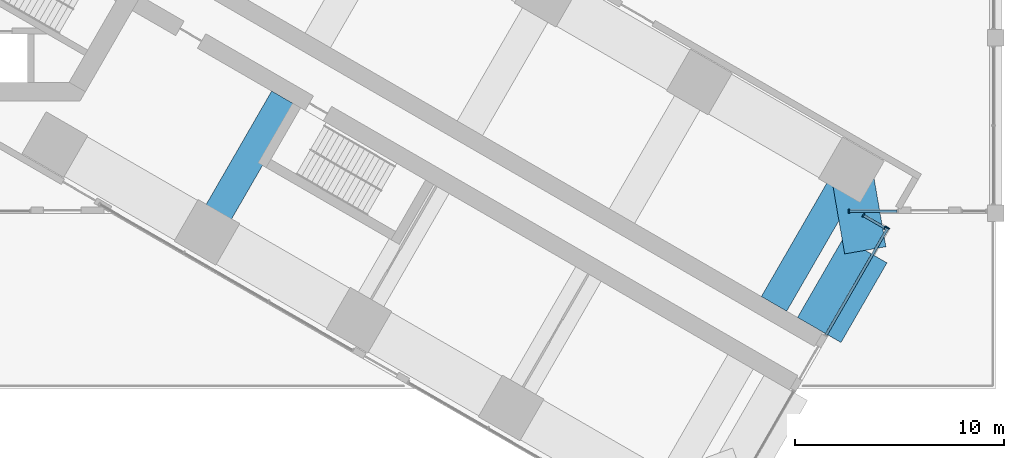
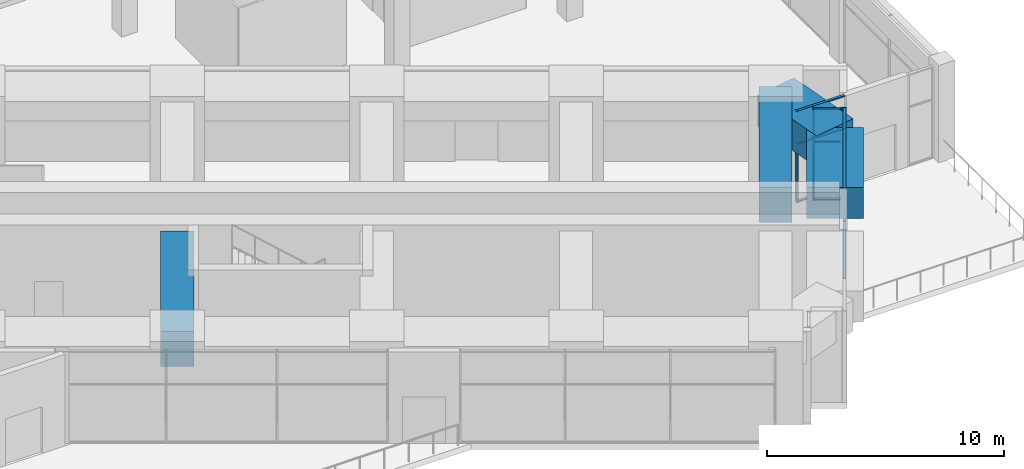
# One storey, part 12 of 34: 13 members, 4 beams, 3 elements without a shape of their own.
"""IFC4 building model written with IfcOpenShell, lengths in metres."""

import ifcopenshell
import ifcopenshell.guid

model = None  # the IFC model being written
_history = None  # IfcOwnerHistory: only IFC2X3 demands one
_inside = {}  # id of a spatial element -> (the spatial element, [elements in it])
_under = {}  # id of a project, library or spatial element -> (it, [spatial elements below it])
_declared = {}  # id of a project -> (the project, [libraries it declares])
_typed = {}  # id of a type object -> (the type object, [elements of that type])
_made_of = {}  # id of a material, layer set ... -> (it, [elements and type objects made of it])


def new_model(schema):
    """Start an empty IFC model of exactly this schema.

    Asked for "IFC4X3", IfcOpenShell would pick the latest addendum, in which some entities
    have other attributes; the version numbers below select the first issue.
    IFC2X3 requires an IfcOwnerHistory on every rooted entity: one is made here for all.
    """
    global model, _history
    if schema == "IFC4X3":
        model = ifcopenshell.file(schema_version=(4, 3, 0, 0))
    else:
        model = ifcopenshell.file(schema=schema)
    _inside.clear()
    _under.clear()
    _declared.clear()
    _typed.clear()
    _made_of.clear()
    _history = None
    if model.schema == "IFC2X3":
        org = make("IfcOrganization", Name="unknown")
        user = make(
            "IfcPersonAndOrganization",
            ThePerson=make("IfcPerson", FamilyName="unknown"),
            TheOrganization=org,
        )
        app = make(
            "IfcApplication",
            ApplicationDeveloper=org,
            Version="unknown",
            ApplicationFullName="unknown",
            ApplicationIdentifier="unknown",
        )
        _history = make(
            "IfcOwnerHistory",
            OwningUser=user,
            OwningApplication=app,
            ChangeAction="ADDED",
            CreationDate=0,
        )
    return model


def make(cls, **values):
    """One entity of the class cls with the attributes given. An attribute that is None is left unset."""
    return model.create_entity(
        cls, **{name: value for name, value in values.items() if value is not None}
    )


def rooted(cls, **values):
    """An entity with a GlobalId (a new one), such as an element, a storey or a relation."""
    return make(cls, GlobalId=ifcopenshell.guid.new(), OwnerHistory=_history, **values)


def si_unit(unit_type, name, prefix=None):
    """IfcSIUnit, for example si_unit("LENGTHUNIT", "METRE", prefix="MILLI")."""
    return make("IfcSIUnit", UnitType=unit_type, Prefix=prefix, Name=name)


def assignment(units):
    """IfcUnitAssignment: the units of a project."""
    return None if units is None else make("IfcUnitAssignment", Units=units)


def point(xyz):
    """IfcCartesianPoint."""
    return None if xyz is None else make("IfcCartesianPoint", Coordinates=xyz)


def direction(xyz):
    """IfcDirection."""
    return None if xyz is None else make("IfcDirection", DirectionRatios=xyz)


def frame(location, z_axis=None, x_axis=None):
    """IfcAxis2Placement3D, a coordinate frame: its origin and axes. An axis left out is left unset."""
    return make(
        "IfcAxis2Placement3D",
        Location=point(location),
        Axis=direction(z_axis),
        RefDirection=direction(x_axis),
    )


def frame_2d(location, x_axis=None):
    """IfcAxis2Placement2D, a coordinate frame in the plane: its origin and x axis."""
    return make(
        "IfcAxis2Placement2D", Location=point(location), RefDirection=direction(x_axis)
    )


def origin():
    """The frame at (0, 0, 0) with its axes left unset."""
    return frame((0.0, 0.0, 0.0))


def origin_2d():
    """The frame at (0, 0) in the plane with its x axis left unset."""
    return frame_2d((0.0, 0.0))


def place(relative_to, where):
    """IfcLocalPlacement: puts the frame where relative to a parent placement (None: the world)."""
    return make(
        "IfcLocalPlacement", PlacementRelTo=relative_to, RelativePlacement=where
    )


def context(
    kind, dimensions, precision=None, world=None, true_north=None, identifier=None
):
    """IfcGeometricRepresentationContext, for example the 3D "Model" context."""
    return make(
        "IfcGeometricRepresentationContext",
        ContextIdentifier=identifier,
        ContextType=kind,
        CoordinateSpaceDimension=dimensions,
        Precision=precision,
        WorldCoordinateSystem=world,
        TrueNorth=true_north,
    )


def subcontext(parent, identifier, kind, view, scale=None):
    """IfcGeometricRepresentationSubContext, for example "Body" below "Model"."""
    return make(
        "IfcGeometricRepresentationSubContext",
        ContextIdentifier=identifier,
        ContextType=kind,
        ParentContext=parent,
        TargetScale=scale,
        TargetView=view,
    )


def project(units=None, contexts=None):
    """IfcProject with its units and contexts."""
    return rooted(
        "IfcProject",
        Name="project",
        RepresentationContexts=contexts,
        UnitsInContext=assignment(units),
    )


def spatial(cls, under=None, at=None, **own):
    """A site, building, storey or space (cls), placed at a placement, below another one or the project."""
    s = rooted(cls, ObjectPlacement=at, **own)
    if under is not None:
        _under.setdefault(under.id(), (under, []))[1].append(s)
    return s


def profile(cls, at=None, kind="AREA", **sizes):
    """A parametric profile (cls). Its sizes go by their IFC names, for example OverallWidth=200.0."""
    return make(cls, ProfileType=kind, Position=at, **sizes)


def rectangle(**sizes):
    """IfcRectangleProfileDef."""
    return profile("IfcRectangleProfileDef", **sizes)


def extrude(swept, where, along, depth):
    """IfcExtrudedAreaSolid: the profile swept, set in the frame where, extruded along a direction by depth."""
    return make(
        "IfcExtrudedAreaSolid",
        SweptArea=swept,
        Position=where,
        ExtrudedDirection=direction(along),
        Depth=depth,
    )


def shape(context_of_items, identifier, shape_type, items):
    """IfcShapeRepresentation: the items that make up one representation, for example the "Body"."""
    return make(
        "IfcShapeRepresentation",
        ContextOfItems=context_of_items,
        RepresentationIdentifier=identifier,
        RepresentationType=shape_type,
        Items=items,
    )


def material(Name=None, Category=None):
    """IfcMaterial."""
    return make("IfcMaterial", Name=Name, Category=Category)


def material_profile(
    of_material, cross_section, Name=None, Category=None, Priority=None
):
    """IfcMaterialProfile: a cross section and its material."""
    return make(
        "IfcMaterialProfile",
        Name=Name,
        Material=of_material,
        Profile=cross_section,
        Priority=Priority,
        Category=Category,
    )


def profile_set(profiles, Name=None, composite=None):
    """IfcMaterialProfileSet."""
    return make(
        "IfcMaterialProfileSet",
        Name=Name,
        MaterialProfiles=profiles,
        CompositeProfile=composite,
    )


def made_of(thing, what):
    """Note that an element or type object is made of a material, layer set ...; save() writes the relation."""
    if what is not None:
        _made_of.setdefault(what.id(), (what, []))[1].append(thing)
    return thing


def type_object(cls, material=None, **own):
    """A type object (cls), such as IfcWallType, which elements share."""
    return made_of(rooted(cls, **own), material)


def element(
    cls,
    number,
    at=None,
    inside=None,
    cuts=None,
    type_object=None,
    material=None,
    context=None,
    identifier="Body",
    shape_type=None,
    held_by="IfcProductDefinitionShape",
    body=None,
    shapes=None,
    **own,
):
    """One element of the class cls, such as IfcWall. Its Tag is "e" and its number.

    at: its placement. inside: the storey or other place that contains it. cuts: it is an
    opening in that element (IfcRelVoidsElement). A single representation is given by context,
    identifier, shape_type and body (its items); several are given by shapes. held_by: the class
    of the entity that holds the representations. save() writes the other relations.
    """
    e = rooted(cls, Tag="e%d" % number, ObjectPlacement=at, **own)
    if body is not None:
        shapes = [shape(context, identifier, shape_type, body)]
    if shapes is not None:
        e.Representation = make(held_by, Representations=shapes)
    if inside is not None:
        _inside.setdefault(inside.id(), (inside, []))[1].append(e)
    if cuts is not None:
        rooted(
            "IfcRelVoidsElement", RelatingBuildingElement=cuts, RelatedOpeningElement=e
        )
    if type_object is not None:
        _typed.setdefault(type_object.id(), (type_object, []))[1].append(e)
    return made_of(e, material)


def aggregate(whole, parts):
    """IfcRelAggregates: a whole, such as a stair, and the parts it consists of."""
    return rooted("IfcRelAggregates", RelatingObject=whole, RelatedObjects=parts)


def save(model, path):
    """Write the relations noted so far, then the file.

    IfcRelAggregates (storeys below a building ...), IfcRelContainedInSpatialStructure (elements
    in a storey), IfcRelDefinesByType, IfcRelAssociatesMaterial and IfcRelDeclares: one each for
    every whole, place, type object, material and project.
    """
    for whole, parts in _under.values():
        aggregate(whole, parts)
    for where, things in _inside.values():
        rooted(
            "IfcRelContainedInSpatialStructure",
            RelatedElements=things,
            RelatingStructure=where,
        )
    for kind, things in _typed.values():
        rooted("IfcRelDefinesByType", RelatedObjects=things, RelatingType=kind)
    for what, things in _made_of.values():
        rooted("IfcRelAssociatesMaterial", RelatedObjects=things, RelatingMaterial=what)
    for by, libraries in _declared.values():
        rooted("IfcRelDeclares", RelatingContext=by, RelatedDefinitions=libraries)
    model.write(path)


model = new_model("IFC4")

# Units and contexts
model_context = context("Model", 3, precision=1e-05, world=origin(), true_north=direction((0.0, 1.0)))
body_context = subcontext(model_context, "Body", "Model", "MODEL_VIEW")
ifc_project = project(units=[si_unit("LENGTHUNIT", "METRE"), si_unit("AREAUNIT", "SQUARE_METRE"), si_unit("VOLUMEUNIT", "CUBIC_METRE"), si_unit("PLANEANGLEUNIT", "RADIAN"), si_unit("MASSUNIT", "GRAM", prefix="KILO")], contexts=[model_context])

# Site, building, storey
site_placement = place(None, origin())
site = spatial("IfcSite", under=ifc_project, at=site_placement, CompositionType="ELEMENT")
building_placement = place(site_placement, origin())
building = spatial("IfcBuilding", under=site, at=building_placement, Name="Impinga Residences", CompositionType="ELEMENT")
storey_placement = place(building_placement, frame((0.0, 0.0, 16.0)))
storey = spatial("IfcBuildingStorey", under=building, at=storey_placement, Name="L03", CompositionType="ELEMENT", Elevation=16.0)

# Beams
ifc_material_1 = material(Name="Concrete C60/75", Category="concrete")
ifc_material_profile_1 = material_profile(ifc_material_1, rectangle(XDim=2.0, YDim=1.60009765625, at=origin_2d()), Name="RC 2000x1600")
ifc_profile_set_1 = profile_set([ifc_material_profile_1], Name="Concrete C60/75")
beam_type_1 = type_object("IfcBeamType", Name="CB2 2000x1600 wing end cantilever beam", PredefinedType="BEAM", material=ifc_profile_set_1)
beam_1_placement = place(storey_placement, frame((43.49853515625, -14.721435546875, 3.89990234375), z_axis=(0.170296298948, -0.985392901621, 0.0), x_axis=(0.985392901621, 0.170296298948, 0.0)))
element("IfcBeam", 1, at=beam_1_placement, inside=storey, type_object=beam_type_1, Name="Beam CB2 EB E5-EX level L04", PredefinedType="BEAM", context=body_context, shape_type="SweptSolid", body=[
    extrude(rectangle(XDim=2.0, YDim=1.60009765625, at=origin_2d()), origin(), (0.0, 0.0, 1.0), 3.9052734375),
])
ifc_material_profile_2 = material_profile(ifc_material_1, rectangle(XDim=1.39990234375, YDim=1.800048828125, at=origin_2d()), Name="RC 1400x1800")
ifc_profile_set_2 = profile_set([ifc_material_profile_2], Name="Concrete C60/75")
beam_type_2 = type_object("IfcBeamType", Name="CG4 1400x1800 cross girder on a wing bay line under the podium floors", PredefinedType="BEAM", material=ifc_profile_set_2)
beam_2_placement = place(storey_placement, frame((39.79833984375, -21.130126953125, 3.800048828125), z_axis=(0.500013743233, 0.86601746898, 0.0), x_axis=(-0.86601746898, 0.500013743233, 0.0)))
element("IfcBeam", 2, at=beam_2_placement, inside=storey, type_object=beam_type_2, Name="Beam CG4 E5 EC/EA level L04", PredefinedType="BEAM", context=body_context, shape_type="SweptSolid", body=[
    extrude(rectangle(XDim=1.39990234375, YDim=1.800048828125, at=origin_2d()), origin(), (0.0, 0.0, 1.0), 7.400146484375),
])
beam_3_placement = place(storey_placement, frame((16.37451171875, -11.301513671875, 3.800048828125), z_axis=(-0.500003285667, -0.866023506795, 0.0), x_axis=(0.866023506795, -0.500003285667, 0.0)))
element("IfcBeam", 3, at=beam_3_placement, inside=storey, type_object=beam_type_2, Name="Beam CG4 E2 EC/EF level L04", PredefinedType="BEAM", context=body_context, shape_type="SweptSolid", body=[
    extrude(rectangle(XDim=1.39990234375, YDim=1.800048828125, at=origin_2d()), origin(), (0.0, 0.0, 1.0), 7.39990234375),
])

# Curtain wall, member
ifc_material_2 = material(Name="Aluminium stick curtain wall", Category="aluminium")
curtain_wall_type = type_object("IfcCurtainWallType", Name="CW1 podium amenity curtain wall", PredefinedType="USERDEFINED", material=ifc_material_2)
curtain_wall_1_placement = place(storey_placement, origin())
curtain_wall_1 = element("IfcCurtainWall", 4, at=curtain_wall_1_placement, inside=storey, type_object=curtain_wall_type, Name="Curtain wall CW1 L03", ObjectType="STICK CURTAIN WALL", PredefinedType="USERDEFINED")
ifc_material_3 = material(Name="Aluminium mullion", Category="aluminium")
ifc_material_profile_3 = material_profile(ifc_material_3, rectangle(XDim=0.06005859375, YDim=0.179931640625, at=origin_2d()), Name="60x180 mullion")
ifc_profile_set_3 = profile_set([ifc_material_profile_3], Name="Aluminium mullion")
member_type_1 = type_object("IfcMemberType", Name="CW1-M mullion 60x180", PredefinedType="MULLION", material=ifc_profile_set_3)
member_1_placement = place(storey_placement, frame((43.382080078125, -16.699951171875, 0.0), z_axis=(0.0, 0.0, 1.0), x_axis=(-1.0, 0.0, 0.0)))
member_1 = element("IfcMember", 5, at=member_1_placement, type_object=member_type_1, Name="CW1 mullion 2", PredefinedType="MULLION", context=body_context, shape_type="SweptSolid", body=[
    extrude(rectangle(XDim=0.06005859375, YDim=0.179931640625, at=origin_2d()), origin(), (0.0, 0.0, 1.0), 4.699951171875),
])

# Curtain wall, members
curtain_wall_2_placement = place(storey_placement, origin())
curtain_wall_2 = element("IfcCurtainWall", 6, at=curtain_wall_2_placement, inside=storey, type_object=curtain_wall_type, Name="Curtain wall CW1 L03", ObjectType="STICK CURTAIN WALL", PredefinedType="USERDEFINED")
member_2_placement = place(storey_placement, frame((44.074462890625, -16.901611328125, 0.0), z_axis=(0.0, 0.0, 1.0), x_axis=(0.86602522371, -0.500000311898, 0.0)))
member_2 = element("IfcMember", 7, at=member_2_placement, type_object=member_type_1, Name="CW1 mullion 1", PredefinedType="MULLION", context=body_context, shape_type="SweptSolid", body=[
    extrude(rectangle(XDim=0.06005859375, YDim=0.179931640625, at=origin_2d()), origin(), (0.0, 0.0, 1.0), 4.699951171875),
])
member_3_placement = place(storey_placement, frame((45.097412109375, -17.4921875, 0.0), z_axis=(0.0, 0.0, 1.0), x_axis=(0.86602522371, -0.500000311898, 0.0)))
member_3 = element("IfcMember", 8, at=member_3_placement, type_object=member_type_1, Name="CW1 mullion 2", PredefinedType="MULLION", context=body_context, shape_type="SweptSolid", body=[
    extrude(rectangle(XDim=0.06005859375, YDim=0.179931640625, at=origin_2d()), origin(), (0.0, 0.0, 1.0), 4.699951171875),
])

# Curtain wall, member
curtain_wall_3_placement = place(storey_placement, origin())
curtain_wall_3 = element("IfcCurtainWall", 9, at=curtain_wall_3_placement, inside=storey, type_object=curtain_wall_type, Name="Curtain wall CW1 L03", ObjectType="STICK CURTAIN WALL", PredefinedType="USERDEFINED")
member_4_placement = place(storey_placement, frame((45.244873046875, -17.49658203125, 0.0), z_axis=(0.0, 0.0, 1.0), x_axis=(-0.500000030502, -0.866025386174, 0.0)))
member_4 = element("IfcMember", 10, at=member_4_placement, type_object=member_type_1, Name="CW1 mullion 1", PredefinedType="MULLION", context=body_context, shape_type="SweptSolid", body=[
    extrude(rectangle(XDim=0.06005859375, YDim=0.179931640625, at=origin_2d()), origin(), (0.0, 0.0, 1.0), 4.699951171875),
])

# Member
ifc_material_4 = material(Name="Aluminium transom", Category="aluminium")
ifc_material_profile_4 = material_profile(ifc_material_4, rectangle(XDim=0.06005859375, YDim=0.1201171875, at=origin_2d()), Name="60x120 transom")
ifc_profile_set_4 = profile_set([ifc_material_profile_4], Name="Aluminium transom")
member_type_2 = type_object("IfcMemberType", Name="CW1-T transom 60x120", PredefinedType="USERDEFINED", material=ifc_profile_set_4)
member_5_placement = place(storey_placement, frame((45.689208984375, -16.699951171875, 0.030029296875), z_axis=(-1.0, 0.0, 0.0), x_axis=(0.0, 0.0, 1.0)))
member_5 = element("IfcMember", 11, at=member_5_placement, type_object=member_type_2, Name="CW1 transom 1.1", ObjectType="TRANSOM", PredefinedType="USERDEFINED", context=body_context, shape_type="SweptSolid", body=[
    extrude(rectangle(XDim=0.06005859375, YDim=0.1201171875, at=origin_2d()), origin(), (0.0, 0.0, 1.0), 2.277099609375),
])

member_6_placement = place(storey_placement, frame((45.689208984375, -16.699951171875, 3.0), z_axis=(-1.0, 0.0, 0.0), x_axis=(0.0, 0.0, 1.0)))
member_6 = element("IfcMember", 12, at=member_6_placement, type_object=member_type_2, Name="CW1 transom 1.2", ObjectType="TRANSOM", PredefinedType="USERDEFINED", context=body_context, shape_type="SweptSolid", body=[
    extrude(rectangle(XDim=0.06005859375, YDim=0.1201171875, at=origin_2d()), origin(), (0.0, 0.0, 1.0), 2.277099609375),
])

member_7_placement = place(storey_placement, frame((45.689208984375, -16.699951171875, 4.669921875), z_axis=(-1.0, 0.0, 0.0), x_axis=(0.0, 0.0, 1.0)))
member_7 = element("IfcMember", 13, at=member_7_placement, type_object=member_type_2, Name="CW1 transom 1.3", ObjectType="TRANSOM", PredefinedType="USERDEFINED", context=body_context, shape_type="SweptSolid", body=[
    extrude(rectangle(XDim=0.06005859375, YDim=0.1201171875, at=origin_2d()), origin(), (0.0, 0.0, 1.0), 2.277099609375),
])

aggregate(curtain_wall_1, [member_1, member_5, member_6, member_7])

member_8_placement = place(storey_placement, frame((44.100341796875, -16.91650390625, 0.030029296875), z_axis=(0.865942613235, -0.500143370028, 0.0), x_axis=(0.0, 0.0, 1.0)))
member_8 = element("IfcMember", 14, at=member_8_placement, type_object=member_type_2, Name="CW1 transom 1.1", ObjectType="TRANSOM", PredefinedType="USERDEFINED", context=body_context, shape_type="SweptSolid", body=[
    extrude(rectangle(XDim=0.06005859375, YDim=0.1201171875, at=origin_2d()), origin(), (0.0, 0.0, 1.0), 1.121337890625),
])

member_9_placement = place(storey_placement, frame((44.100341796875, -16.91650390625, 3.0), z_axis=(0.865942613235, -0.500143370028, 0.0), x_axis=(0.0, 0.0, 1.0)))
member_9 = element("IfcMember", 15, at=member_9_placement, type_object=member_type_2, Name="CW1 transom 1.2", ObjectType="TRANSOM", PredefinedType="USERDEFINED", context=body_context, shape_type="SweptSolid", body=[
    extrude(rectangle(XDim=0.06005859375, YDim=0.1201171875, at=origin_2d()), origin(), (0.0, 0.0, 1.0), 1.121337890625),
])

member_10_placement = place(storey_placement, frame((44.100341796875, -16.91650390625, 4.669921875), z_axis=(0.865942613235, -0.500143370028, 0.0), x_axis=(0.0, 0.0, 1.0)))
member_10 = element("IfcMember", 16, at=member_10_placement, type_object=member_type_2, Name="CW1 transom 1.3", ObjectType="TRANSOM", PredefinedType="USERDEFINED", context=body_context, shape_type="SweptSolid", body=[
    extrude(rectangle(XDim=0.06005859375, YDim=0.1201171875, at=origin_2d()), origin(), (0.0, 0.0, 1.0), 1.121337890625),
])

aggregate(curtain_wall_2, [member_2, member_3, member_8, member_9, member_10])

member_11_placement = place(storey_placement, frame((45.22998046875, -17.5224609375, 0.030029296875), z_axis=(-0.499988418424, -0.866032090307, 0.0), x_axis=(0.0, 0.0, 1.0)))
member_11 = element("IfcMember", 17, at=member_11_placement, type_object=member_type_2, Name="CW1 transom 1.1", ObjectType="TRANSOM", PredefinedType="USERDEFINED", context=body_context, shape_type="SweptSolid", body=[
    extrude(rectangle(XDim=0.06005859375, YDim=0.1201171875, at=origin_2d()), origin(), (0.0, 0.0, 1.0), 5.880126953125),
])

member_12_placement = place(storey_placement, frame((45.22998046875, -17.5224609375, 3.0), z_axis=(-0.499988418424, -0.866032090307, 0.0), x_axis=(0.0, 0.0, 1.0)))
member_12 = element("IfcMember", 18, at=member_12_placement, type_object=member_type_2, Name="CW1 transom 1.2", ObjectType="TRANSOM", PredefinedType="USERDEFINED", context=body_context, shape_type="SweptSolid", body=[
    extrude(rectangle(XDim=0.06005859375, YDim=0.1201171875, at=origin_2d()), origin(), (0.0, 0.0, 1.0), 5.880126953125),
])

member_13_placement = place(storey_placement, frame((45.22998046875, -17.5224609375, 4.669921875), z_axis=(-0.499988418424, -0.866032090307, 0.0), x_axis=(0.0, 0.0, 1.0)))
member_13 = element("IfcMember", 19, at=member_13_placement, type_object=member_type_2, Name="CW1 transom 1.3", ObjectType="TRANSOM", PredefinedType="USERDEFINED", context=body_context, shape_type="SweptSolid", body=[
    extrude(rectangle(XDim=0.06005859375, YDim=0.1201171875, at=origin_2d()), origin(), (0.0, 0.0, 1.0), 5.880126953125),
])

aggregate(curtain_wall_3, [member_4, member_11, member_12, member_13])

# Beam
ifc_material_profile_5 = material_profile(ifc_material_1, rectangle(XDim=2.39990234375, YDim=1.60009765625, at=origin_2d()), Name="RC 2400x1600")
ifc_profile_set_5 = profile_set([ifc_material_profile_5], Name="Concrete C60/75")
beam_type_3 = type_object("IfcBeamType", Name="EB2 2400x1600 wing end beam", PredefinedType="BEAM", material=ifc_profile_set_5)
beam_4_placement = place(storey_placement, frame((44.16357421875, -18.569580078125, 3.89990234375), z_axis=(-0.499988222896, -0.866032203192, 0.0), x_axis=(0.866032203192, -0.499988222896, 0.0)))
element("IfcBeam", 20, at=beam_4_placement, inside=storey, type_object=beam_type_3, Name="Beam EB2 EX4 level L04", PredefinedType="BEAM", context=body_context, shape_type="SweptSolid", body=[
    extrude(rectangle(XDim=2.39990234375, YDim=1.60009765625, at=origin_2d()), origin(), (0.0, 0.0, 1.0), 4.39990234375),
])

save(model, "model.ifc")
